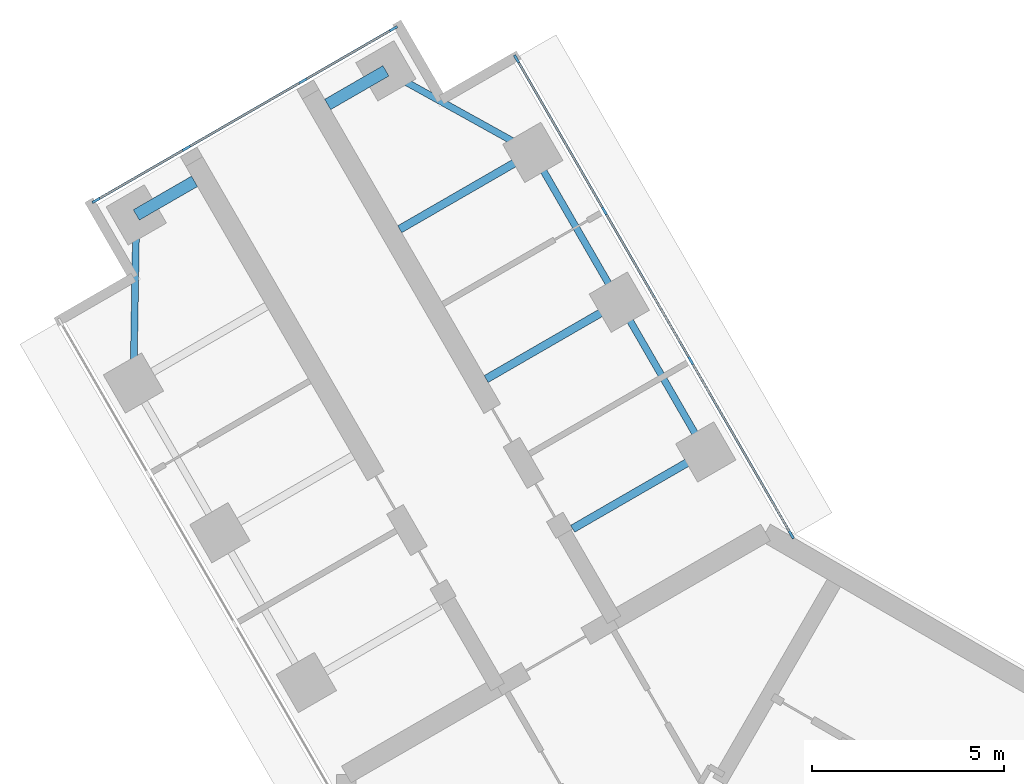
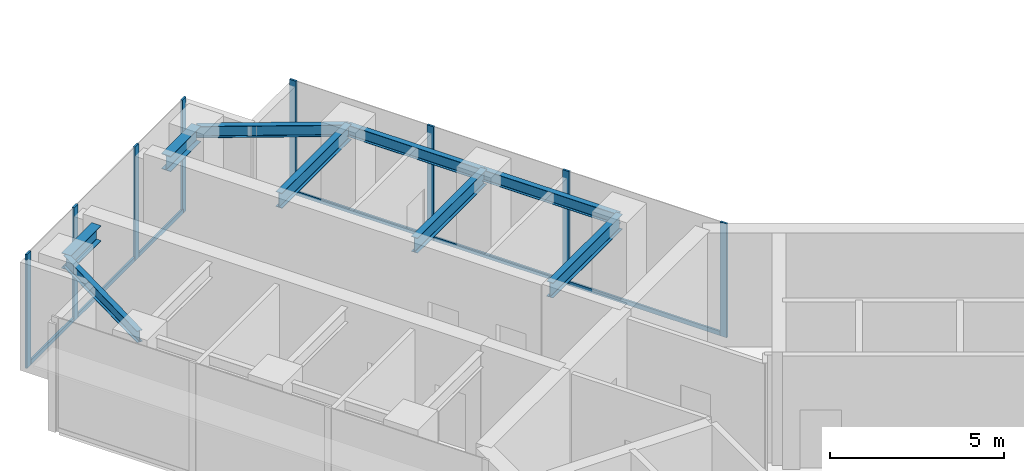
# One storey, part 6 of 17: 14 members, 9 beams, 2 elements without a shape of their own.
"""IFC4 building model written with IfcOpenShell, lengths in metres."""

from ifc_helpers import new_model, si_unit, direction, frame, origin, origin_2d, place, context, subcontext, project, spatial, rectangle, i_section, extrude, material, material_profile, profile_set, type_object, element, aggregate, save


model = new_model("IFC4")

# Units and contexts
model_context = context("Model", 3, precision=1e-05, world=origin(), true_north=direction((0.0, 1.0)))
body_context = subcontext(model_context, "Body", "Model", "MODEL_VIEW")
ifc_project = project(units=[si_unit("LENGTHUNIT", "METRE"), si_unit("AREAUNIT", "SQUARE_METRE"), si_unit("VOLUMEUNIT", "CUBIC_METRE"), si_unit("PLANEANGLEUNIT", "RADIAN"), si_unit("MASSUNIT", "GRAM", prefix="KILO")], contexts=[model_context])

# Site, building, storey
site_placement = place(None, origin())
site = spatial("IfcSite", under=ifc_project, at=site_placement, CompositionType="ELEMENT")
building_placement = place(site_placement, origin())
building = spatial("IfcBuilding", under=site, at=building_placement, Name="Upepo Twin Towers", CompositionType="ELEMENT")
storey_placement = place(building_placement, frame((0.0, 0.0, 194.5)))
storey = spatial("IfcBuildingStorey", under=building, at=storey_placement, Name="L47", CompositionType="ELEMENT", Elevation=194.5)

# Beams
ifc_material_1 = material(Name="Steel S355", Category="steel")
ifc_material_profile_1 = material_profile(ifc_material_1, i_section(OverallWidth=0.177978515625, OverallDepth=0.406494140625, WebThickness=0.0078125, FlangeThickness=0.0126953125, FilletRadius=0.01025390625, at=origin_2d()), Name="UB 406x178x60")
ifc_profile_set_1 = profile_set([ifc_material_profile_1], Name="Steel S355")
beam_type_1 = type_object("IfcBeamType", Name="Beam UB 406x178x60", PredefinedType="BEAM", material=ifc_profile_set_1)
beam_1_placement = place(storey_placement, frame((-16.446044921875, 16.485595703125, 3.5966796875), z_axis=(0.016803880528, 0.999858804832, 0.0), x_axis=(-0.999858804832, 0.016803880528, 0.0)))
element("IfcBeam", 1, at=beam_1_placement, inside=storey, type_object=beam_type_1, Name="T1 nose edge beam BL", PredefinedType="BEAM", context=body_context, shape_type="SweptSolid", body=[
    extrude(i_section(OverallWidth=0.177978515625, OverallDepth=0.406494140625, WebThickness=0.0078125, FlangeThickness=0.0126953125, FilletRadius=0.01025390625, at=origin_2d()), origin(), (0.0, 0.0, 1.0), 4.373291015625),
])
beam_2_placement = place(storey_placement, frame((-1.553955078125, 14.69140625, 3.5966796875), z_axis=(-0.500013631625, 0.866017533419, 0.0), x_axis=(-0.866017533419, -0.500013631625, 0.0)))
element("IfcBeam", 2, at=beam_2_placement, inside=storey, type_object=beam_type_1, Name="T1 edge beam BR 13.5-18.0", PredefinedType="BEAM", context=body_context, shape_type="SweptSolid", body=[
    extrude(i_section(OverallWidth=0.177978515625, OverallDepth=0.406494140625, WebThickness=0.0078125, FlangeThickness=0.0126953125, FilletRadius=0.01025390625, at=origin_2d()), origin(), (0.0, 0.0, 1.0), 4.499755859375),
])
beam_3_placement = place(storey_placement, frame((-3.803955078125, 18.58837890625, 3.5966796875), z_axis=(-0.499990139034, 0.866031096941, 0.0), x_axis=(-0.866031096941, -0.499990139034, 0.0)))
element("IfcBeam", 3, at=beam_3_placement, inside=storey, type_object=beam_type_1, Name="T1 edge beam BR 18.0-22.5", PredefinedType="BEAM", context=body_context, shape_type="SweptSolid", body=[
    extrude(i_section(OverallWidth=0.177978515625, OverallDepth=0.406494140625, WebThickness=0.0078125, FlangeThickness=0.0126953125, FilletRadius=0.01025390625, at=origin_2d()), origin(), (0.0, 0.0, 1.0), 4.5),
])
beam_4_placement = place(storey_placement, frame((-6.053955078125, 22.485595703125, 3.5966796875), z_axis=(-0.874312600038, 0.485363242752, 0.0), x_axis=(-0.485363242752, -0.874312600038, 0.0)))
element("IfcBeam", 4, at=beam_4_placement, inside=storey, type_object=beam_type_1, Name="T1 nose edge beam BR", PredefinedType="BEAM", context=body_context, shape_type="SweptSolid", body=[
    extrude(i_section(OverallWidth=0.177978515625, OverallDepth=0.406494140625, WebThickness=0.0078125, FlangeThickness=0.0126953125, FilletRadius=0.01025390625, at=origin_2d()), origin(), (0.0, 0.0, 1.0), 4.373046875),
])
ifc_material_2 = material(Name="Steel S355", Category="steel")
ifc_material_profile_2 = material_profile(ifc_material_2, i_section(OverallWidth=0.209228515625, OverallDepth=0.533203125, WebThickness=0.010009765625, FlangeThickness=0.015625, FilletRadius=0.0126953125, at=origin_2d()), Name="UB 533x210x92")
ifc_profile_set_2 = profile_set([ifc_material_profile_2], Name="Steel S355")
beam_type_2 = type_object("IfcBeamType", Name="Beam UB 533x210x92", PredefinedType="BEAM", material=ifc_profile_set_2)
for number, where, z_axis, x_axis, name in (
    (5, (-1.553955078125, 14.69140625, 3.533447265625), (-0.866026010844, -0.49999894854, 0.0), (0.49999894854, -0.866026010844, 0.0), "T1 girder BR at 13.5"),
    (6, (-3.803955078125, 18.58837890625, 3.533447265625), (-0.866026010844, -0.49999894854, 0.0), (0.49999894854, -0.866026010844, 0.0), "T1 girder BR at 18.0"),
    (7, (-6.053955078125, 22.485595703125, 3.533447265625), (-0.866026010844, -0.49999894854, 0.0), (0.49999894854, -0.866026010844, 0.0), "T1 girder BR at 22.5"),
):
    element("IfcBeam", number, at=place(storey_placement, frame(where, z_axis=z_axis, x_axis=x_axis)), inside=storey, type_object=beam_type_2, Name=name, PredefinedType="BEAM", context=body_context, shape_type="SweptSolid", body=[
        extrude(i_section(OverallWidth=0.209228515625, OverallDepth=0.533203125, WebThickness=0.010009765625, FlangeThickness=0.015625, FilletRadius=0.0126953125, at=origin_2d()), origin(), (0.0, 0.0, 1.0), 4.0),
    ])
ifc_material_3 = material(Name="Steel S355", Category="steel")
ifc_material_profile_3 = material_profile(ifc_material_3, i_section(OverallWidth=0.31201171875, OverallDepth=0.54345703125, WebThickness=0.0126953125, FlangeThickness=0.020263671875, FilletRadius=0.0126953125, at=origin_2d()), Name="UB 533x312x150")
ifc_profile_set_3 = profile_set([ifc_material_profile_3], Name="Steel S355")
beam_type_3 = type_object("IfcBeamType", Name="Beam UB 533x312x150", PredefinedType="BEAM", material=ifc_profile_set_3)
for number, where, z_axis, x_axis, name in (
    (8, (-16.37255859375, 20.858154296875, 3.5283203125), (0.866036909293, 0.499980071345, 0.0), (-0.499980071345, 0.866036909293, 0.0), "T1 nose beam BL"),
    (9, (-9.87744140625, 24.608154296875, 3.5283203125), (-0.866036909293, -0.499980071345, 0.0), (0.499980071345, -0.866036909293, 0.0), "T1 nose beam BR"),
):
    element("IfcBeam", number, at=place(storey_placement, frame(where, z_axis=z_axis, x_axis=x_axis)), inside=storey, type_object=beam_type_3, Name=name, PredefinedType="BEAM", context=body_context, shape_type="SweptSolid", body=[
        extrude(i_section(OverallWidth=0.31201171875, OverallDepth=0.54345703125, WebThickness=0.0126953125, FlangeThickness=0.020263671875, FilletRadius=0.0126953125, at=origin_2d()), origin(), (0.0, 0.0, 1.0), 1.75),
    ])

# Curtain wall, members
ifc_material_4 = material(Name="Aluminium and fritted glass", Category="aluminium")
curtain_wall_type = type_object("IfcCurtainWallType", Name="Tower curtain wall TW3, fritted glass", PredefinedType="NOTDEFINED", material=ifc_material_4)
curtain_wall_1_placement = place(storey_placement, origin())
curtain_wall_1 = element("IfcCurtainWall", 10, at=curtain_wall_1_placement, inside=storey, type_object=curtain_wall_type, Name="T1 L47 wing B flank R curtain wall", PredefinedType="NOTDEFINED")
ifc_material_5 = material(Name="Aluminium mullion", Category="aluminium")
ifc_material_profile_4 = material_profile(ifc_material_5, rectangle(XDim=0.06494140625, YDim=0.22509765625, at=origin_2d()), Name="MULLION 65x225")
ifc_profile_set_4 = profile_set([ifc_material_profile_4], Name="Aluminium mullion")
member_type_1 = type_object("IfcMemberType", Name="Mullion 65x225 TW3", PredefinedType="MULLION", material=ifc_profile_set_4)
member_1_placement = place(storey_placement, frame((-6.4765625, 24.91748046875, 0.0), z_axis=(0.0, 0.0, 1.0), x_axis=(0.866025388469, 0.500000026527, 0.0)))
member_1 = element("IfcMember", 11, at=member_1_placement, type_object=member_type_1, Name="T1 L47 wing B flank R curtain wall mullion 1", PredefinedType="MULLION", context=body_context, shape_type="SweptSolid", body=[
    extrude(rectangle(XDim=0.06494140625, YDim=0.22509765625, at=origin_2d()), origin(), (0.0, 0.0, 1.0), 4.0),
])
member_2_placement = place(storey_placement, frame((-4.192626953125, 20.9619140625, 0.0), z_axis=(0.0, 0.0, 1.0), x_axis=(0.866025388469, 0.500000026527, 0.0)))
member_2 = element("IfcMember", 12, at=member_2_placement, type_object=member_type_1, Name="T1 L47 wing B flank R curtain wall mullion 2", PredefinedType="MULLION", context=body_context, shape_type="SweptSolid", body=[
    extrude(rectangle(XDim=0.06494140625, YDim=0.22509765625, at=origin_2d()), origin(), (0.0, 0.0, 1.0), 4.0),
])
member_3_placement = place(storey_placement, frame((-1.942626953125, 17.06494140625, 0.0), z_axis=(0.0, 0.0, 1.0), x_axis=(0.866025388469, 0.500000026527, 0.0)))
member_3 = element("IfcMember", 13, at=member_3_placement, type_object=member_type_1, Name="T1 L47 wing B flank R curtain wall mullion 3", PredefinedType="MULLION", context=body_context, shape_type="SweptSolid", body=[
    extrude(rectangle(XDim=0.06494140625, YDim=0.22509765625, at=origin_2d()), origin(), (0.0, 0.0, 1.0), 4.0),
])
member_4_placement = place(storey_placement, frame((0.67236328125, 12.53515625, 0.0), z_axis=(0.0, 0.0, 1.0), x_axis=(0.866025388469, 0.500000026527, 0.0)))
member_4 = element("IfcMember", 14, at=member_4_placement, type_object=member_type_1, Name="T1 L47 wing B flank R curtain wall mullion 4", PredefinedType="MULLION", context=body_context, shape_type="SweptSolid", body=[
    extrude(rectangle(XDim=0.06494140625, YDim=0.22509765625, at=origin_2d()), origin(), (0.0, 0.0, 1.0), 4.0),
])

curtain_wall_2_placement = place(storey_placement, origin())
curtain_wall_2 = element("IfcCurtainWall", 15, at=curtain_wall_2_placement, inside=storey, type_object=curtain_wall_type, Name="T1 L47 wing B nose curtain wall", PredefinedType="NOTDEFINED")
member_5_placement = place(storey_placement, frame((-9.68115234375, 25.703125, 0.0), z_axis=(0.0, 0.0, 1.0), x_axis=(0.500000030502, -0.866025386174, 0.0)))
member_5 = element("IfcMember", 16, at=member_5_placement, type_object=member_type_1, Name="T1 L47 wing B nose curtain wall mullion 1", PredefinedType="MULLION", context=body_context, shape_type="SweptSolid", body=[
    extrude(rectangle(XDim=0.06494140625, YDim=0.22509765625, at=origin_2d()), origin(), (0.0, 0.0, 1.0), 4.0),
])
member_6_placement = place(storey_placement, frame((-12.034423828125, 24.34423828125, 0.0), z_axis=(0.0, 0.0, 1.0), x_axis=(0.500000030502, -0.866025386174, 0.0)))
member_6 = element("IfcMember", 17, at=member_6_placement, type_object=member_type_1, Name="T1 L47 wing B nose curtain wall mullion 2", PredefinedType="MULLION", context=body_context, shape_type="SweptSolid", body=[
    extrude(rectangle(XDim=0.06494140625, YDim=0.22509765625, at=origin_2d()), origin(), (0.0, 0.0, 1.0), 4.0),
])
member_7_placement = place(storey_placement, frame((-15.0654296875, 22.59423828125, 0.0), z_axis=(0.0, 0.0, 1.0), x_axis=(0.500000030502, -0.866025386174, 0.0)))
member_7 = element("IfcMember", 18, at=member_7_placement, type_object=member_type_1, Name="T1 L47 wing B nose curtain wall mullion 3", PredefinedType="MULLION", context=body_context, shape_type="SweptSolid", body=[
    extrude(rectangle(XDim=0.06494140625, YDim=0.22509765625, at=origin_2d()), origin(), (0.0, 0.0, 1.0), 4.0),
])
member_8_placement = place(storey_placement, frame((-17.4189453125, 21.235595703125, 0.0), z_axis=(0.0, 0.0, 1.0), x_axis=(0.500000030502, -0.866025386174, 0.0)))
member_8 = element("IfcMember", 19, at=member_8_placement, type_object=member_type_1, Name="T1 L47 wing B nose curtain wall mullion 4", PredefinedType="MULLION", context=body_context, shape_type="SweptSolid", body=[
    extrude(rectangle(XDim=0.06494140625, YDim=0.22509765625, at=origin_2d()), origin(), (0.0, 0.0, 1.0), 4.0),
])

# Member
ifc_material_6 = material(Name="Aluminium transom", Category="aluminium")
ifc_material_profile_5 = material_profile(ifc_material_6, rectangle(XDim=0.06494140625, YDim=0.14990234375, at=origin_2d()), Name="TRANSOM 65x150")
ifc_profile_set_5 = profile_set([ifc_material_profile_5], Name="Aluminium transom")
member_type_2 = type_object("IfcMemberType", Name="Transom 65x150 TW3", PredefinedType="USERDEFINED", material=ifc_profile_set_5)
member_9_placement = place(storey_placement, frame((-6.460205078125, 24.889404296875, 0.074951171875), z_axis=(0.500005646842, -0.866022143554, 0.0), x_axis=(0.866022143554, 0.500005646842, 0.0)))
member_9 = element("IfcMember", 20, at=member_9_placement, type_object=member_type_2, Name="T1 L47 wing B flank R curtain wall transom 1", ObjectType="TRANSOM", PredefinedType="USERDEFINED", context=body_context, shape_type="SweptSolid", body=[
    extrude(rectangle(XDim=0.06494140625, YDim=0.14990234375, at=origin_2d()), origin(), (0.0, 0.0, 1.0), 4.50244140625),
])

member_10_placement = place(storey_placement, frame((-4.176513671875, 20.933837890625, 0.074951171875), z_axis=(0.500005184116, -0.866022410713, 0.0), x_axis=(0.866022410713, 0.500005184116, 0.0)))
member_10 = element("IfcMember", 21, at=member_10_placement, type_object=member_type_2, Name="T1 L47 wing B flank R curtain wall transom 2", ObjectType="TRANSOM", PredefinedType="USERDEFINED", context=body_context, shape_type="SweptSolid", body=[
    extrude(rectangle(XDim=0.06494140625, YDim=0.14990234375, at=origin_2d()), origin(), (0.0, 0.0, 1.0), 4.43505859375),
])

member_11_placement = place(storey_placement, frame((-1.926513671875, 17.036865234375, 0.074951171875), z_axis=(0.500007480159, -0.86602108507, 0.0), x_axis=(0.86602108507, 0.500007480159, 0.0)))
member_11 = element("IfcMember", 22, at=member_11_placement, type_object=member_type_2, Name="T1 L47 wing B flank R curtain wall transom 3", ObjectType="TRANSOM", PredefinedType="USERDEFINED", context=body_context, shape_type="SweptSolid", body=[
    extrude(rectangle(XDim=0.06494140625, YDim=0.14990234375, at=origin_2d()), origin(), (0.0, 0.0, 1.0), 5.16552734375),
])

aggregate(curtain_wall_1, [member_1, member_2, member_3, member_4, member_9, member_10, member_11])

member_12_placement = place(storey_placement, frame((-9.709228515625, 25.686767578125, 0.074951171875), z_axis=(-0.866036909293, -0.499980071345, 0.0), x_axis=(0.499980071345, -0.866036909293, 0.0)))
member_12 = element("IfcMember", 23, at=member_12_placement, type_object=member_type_2, Name="T1 L47 wing B nose curtain wall transom 1", ObjectType="TRANSOM", PredefinedType="USERDEFINED", context=body_context, shape_type="SweptSolid", body=[
    extrude(rectangle(XDim=0.06494140625, YDim=0.14990234375, at=origin_2d()), origin(), (0.0, 0.0, 1.0), 2.65234375),
])

member_13_placement = place(storey_placement, frame((-12.0625, 24.328125, 0.074951171875), z_axis=(-0.866025804792, -0.499999305434, 0.0), x_axis=(0.499999305434, -0.866025804792, 0.0)))
member_13 = element("IfcMember", 24, at=member_13_placement, type_object=member_type_2, Name="T1 L47 wing B nose curtain wall transom 2", ObjectType="TRANSOM", PredefinedType="USERDEFINED", context=body_context, shape_type="SweptSolid", body=[
    extrude(rectangle(XDim=0.06494140625, YDim=0.14990234375, at=origin_2d()), origin(), (0.0, 0.0, 1.0), 3.43505859375),
])

member_14_placement = place(storey_placement, frame((-15.09375, 22.578125, 0.074951171875), z_axis=(-0.865997053448, -0.500049101008, 0.0), x_axis=(0.500049101008, -0.865997053448, 0.0)))
member_14 = element("IfcMember", 25, at=member_14_placement, type_object=member_type_2, Name="T1 L47 wing B nose curtain wall transom 3", ObjectType="TRANSOM", PredefinedType="USERDEFINED", context=body_context, shape_type="SweptSolid", body=[
    extrude(rectangle(XDim=0.06494140625, YDim=0.14990234375, at=origin_2d()), origin(), (0.0, 0.0, 1.0), 2.652587890625),
])

aggregate(curtain_wall_2, [member_5, member_6, member_7, member_8, member_12, member_13, member_14])

save(model, "model.ifc")
